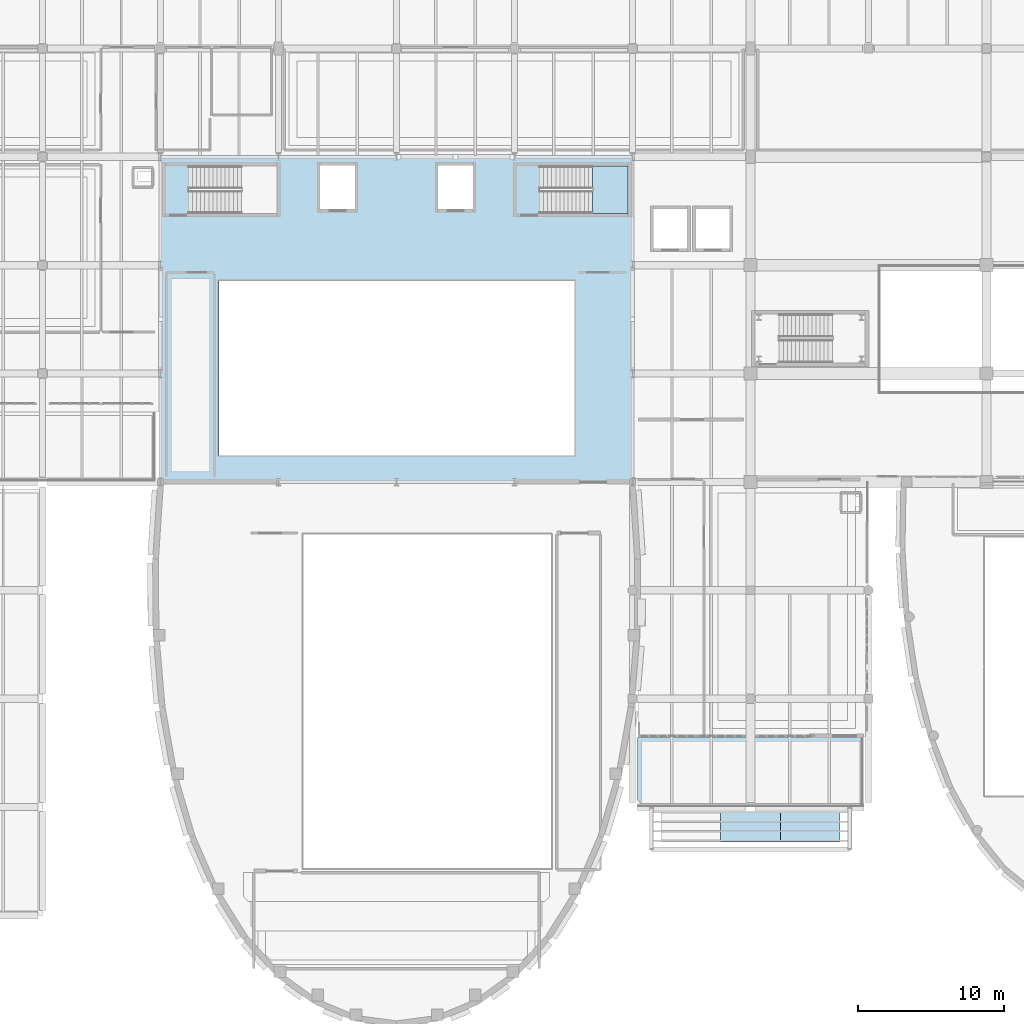
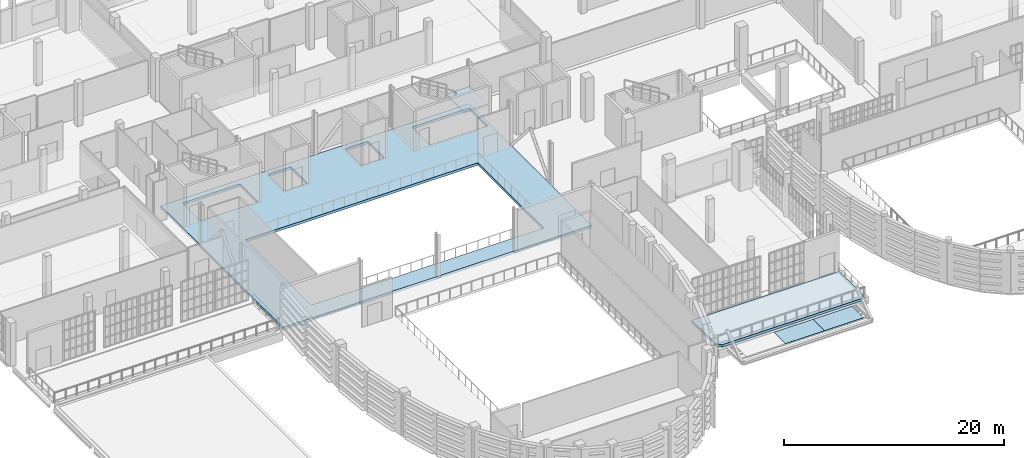
# One storey, part 72 of 104: 3 slabs, 2 plates, 1 element without a shape of its own.
"""IFC4 building model written with IfcOpenShell, lengths in metres."""

from ifc_helpers import new_model, si_unit, direction, frame, origin, origin_2d, place, context, subcontext, project, spatial, polyline, rectangle, outline, extrude, material, layer, layer_set, type_object, element, aggregate, save


model = new_model("IFC4")

# Units and contexts
model_context = context("Model", 3, precision=1e-05, world=origin(), true_north=direction((0.0, 1.0)))
body_context = subcontext(model_context, "Body", "Model", "MODEL_VIEW")
ifc_project = project(units=[si_unit("LENGTHUNIT", "METRE"), si_unit("AREAUNIT", "SQUARE_METRE"), si_unit("VOLUMEUNIT", "CUBIC_METRE"), si_unit("PLANEANGLEUNIT", "RADIAN"), si_unit("MASSUNIT", "GRAM", prefix="KILO")], contexts=[model_context])

# Site, building, storey
site_placement = place(None, origin())
site = spatial("IfcSite", under=ifc_project, at=site_placement, CompositionType="ELEMENT")
building_placement = place(site_placement, origin())
building = spatial("IfcBuilding", under=site, at=building_placement, Name="Kaelora Sail Theatre", CompositionType="ELEMENT")
storey_placement = place(building_placement, frame((0.0, 0.0, 5.39990234375)))
storey = spatial("IfcBuildingStorey", under=building, at=storey_placement, Name="L01", CompositionType="ELEMENT", Elevation=5.39990234375)

# Plates
ifc_material_1 = material(Name="Laminated solar-control skylight glass", Category="glass")
ifc_layer_1 = layer(ifc_material_1, 0.035888671875)
ifc_layer_set_1 = layer_set([ifc_layer_1], Name="Laminated solar-control skylight glass")
plate_type = type_object("IfcPlateType", Name="ARC-PL-SKL-GLS-36", PredefinedType="USERDEFINED", material=ifc_layer_set_1)
for number, where, z_axis, x_axis, name in (
    (1, (66.300048828125, 37.35009765625, -0.294921875), (0.0, 0.0, 1.0), (1.0, 0.0, 0.0), "Grand Foyer Entrance Canopy Laminated Glass 2"),
    (2, (70.39990234375, 37.35009765625, -0.294921875), (0.0, 0.0, 1.0), (1.0, 0.0, 0.0), "Grand Foyer Entrance Canopy Laminated Glass 3"),
):
    element("IfcPlate", number, at=place(storey_placement, frame(where, z_axis=z_axis, x_axis=x_axis)), inside=storey, type_object=plate_type, Name=name, ObjectType="SKYLIGHT PANEL", PredefinedType="USERDEFINED", context=body_context, shape_type="SweptSolid", body=[
        extrude(rectangle(XDim=4.10009765625, YDim=2.10009765625, at=origin_2d()), origin(), (0.0, 0.0, 1.0), 0.035888671875),
    ])

# Stair, slab
ifc_material_2 = material(Name="Concrete C40/50", Category="concrete")
stair_type = type_object("IfcStairType", Name="ARC-ST-ESC150", PredefinedType="HALF_TURN_STAIR", material=ifc_material_2)
stair_placement = place(storey_placement, origin())
stair = element("IfcStair", 3, at=stair_placement, inside=storey, type_object=stair_type, Name="L01 ST-K5", PredefinedType="HALF_TURN_STAIR")
ifc_material_3 = material(Name="Concrete C40/50", Category="concrete")
ifc_layer_2 = layer(ifc_material_3, 0.219970703125)
ifc_layer_set_2 = layer_set([ifc_layer_2], Name="Concrete C40/50")
slab_type_1 = type_object("IfcSlabType", Name="ARC-SLB-LND220", PredefinedType="LANDING", material=ifc_layer_set_2)
slab_1_placement = place(storey_placement, frame((0.0, 0.0, 2.2001953125)))
slab_1 = element("IfcSlab", 4, at=slab_1_placement, type_object=slab_type_1, Name="ST-K5 landing 1", PredefinedType="LANDING", context=body_context, shape_type="SweptSolid", body=[
    extrude(outline(polyline([(55.449951171875, 79.449951171875), (57.89990234375, 79.449951171875), (57.89990234375, 82.699951171875), (55.449951171875, 82.699951171875), (55.449951171875, 79.449951171875)])), origin(), (0.0, 0.0, 1.0), 0.199951171875),
])
aggregate(stair, [slab_1])

# Slabs
ifc_material_4 = material(Name="Concrete C40/50", Category="concrete")
ifc_layer_3 = layer(ifc_material_4, 0.280029296875)
ifc_layer_set_3 = layer_set([ifc_layer_3], Name="Concrete C40/50")
slab_type_2 = type_object("IfcSlabType", Name="STR-SLB-SL-FL280", PredefinedType="FLOOR", material=ifc_layer_set_3)
slab_2_placement = place(storey_placement, frame((0.0, 0.0, -0.27978515625)))
element("IfcSlab", 5, at=slab_2_placement, inside=storey, type_object=slab_type_2, Name="Fly Tower stage/gallery slab (L01)", PredefinedType="FLOOR", context=body_context, shape_type="SweptSolid", body=[
    extrude(outline(polyline([(25.800048828125, 61.034912109375), (58.199951171875, 61.034912109375), (58.199951171875, 83.324951171875), (25.800048828125, 83.324951171875), (25.800048828125, 61.034912109375)]), holes=[polyline([(27.7548828125, 79.449951171875), (33.800048828125, 79.449951171875), (33.800048828125, 82.699951171875), (27.7548828125, 82.699951171875), (27.7548828125, 79.449951171875)]), polyline([(51.85498046875, 79.449951171875), (57.89990234375, 79.449951171875), (57.89990234375, 82.699951171875), (51.85498046875, 82.699951171875), (51.85498046875, 79.449951171875)]), polyline([(36.75, 79.75), (39.14990234375, 79.75), (39.14990234375, 82.75), (36.75, 82.75), (36.75, 79.75)]), polyline([(44.85009765625, 79.75), (47.25, 79.75), (47.25, 82.75), (44.85009765625, 82.75), (44.85009765625, 79.75)]), polyline([(29.800048828125, 62.85009765625), (54.199951171875, 62.85009765625), (54.199951171875, 74.800048828125), (29.800048828125, 74.800048828125), (29.800048828125, 62.85009765625)])]), origin(), (0.0, 0.0, 1.0), 0.27978515625),
])
ifc_material_5 = material(Name="Concrete C40/50", Category="concrete")
ifc_layer_4 = layer(ifc_material_5, 0.27490234375)
ifc_layer_set_4 = layer_set([ifc_layer_4], Name="Concrete C40/50")
slab_type_3 = type_object("IfcSlabType", Name="STR-SLB-SL-TR275", PredefinedType="FLOOR", material=ifc_layer_set_4)
slab_3_placement = place(storey_placement, frame((0.0, 0.0, -0.27490234375)))
element("IfcSlab", 6, at=slab_3_placement, inside=storey, type_object=slab_type_3, Name="First Step Central Inter-Sail Planted Podium Terrace", PredefinedType="FLOOR", context=body_context, shape_type="SweptSolid", body=[
    extrude(outline(polyline([(59.0, 38.699951171875), (73.60009765625, 38.699951171875), (74.050048828125, 39.14990234375), (74.050048828125, 43.47998046875), (58.550048828125, 43.47998046875), (58.550048828125, 39.14990234375), (59.0, 38.699951171875)])), origin(), (0.0, 0.0, 1.0), 0.27490234375),
])

save(model, "model.ifc")
